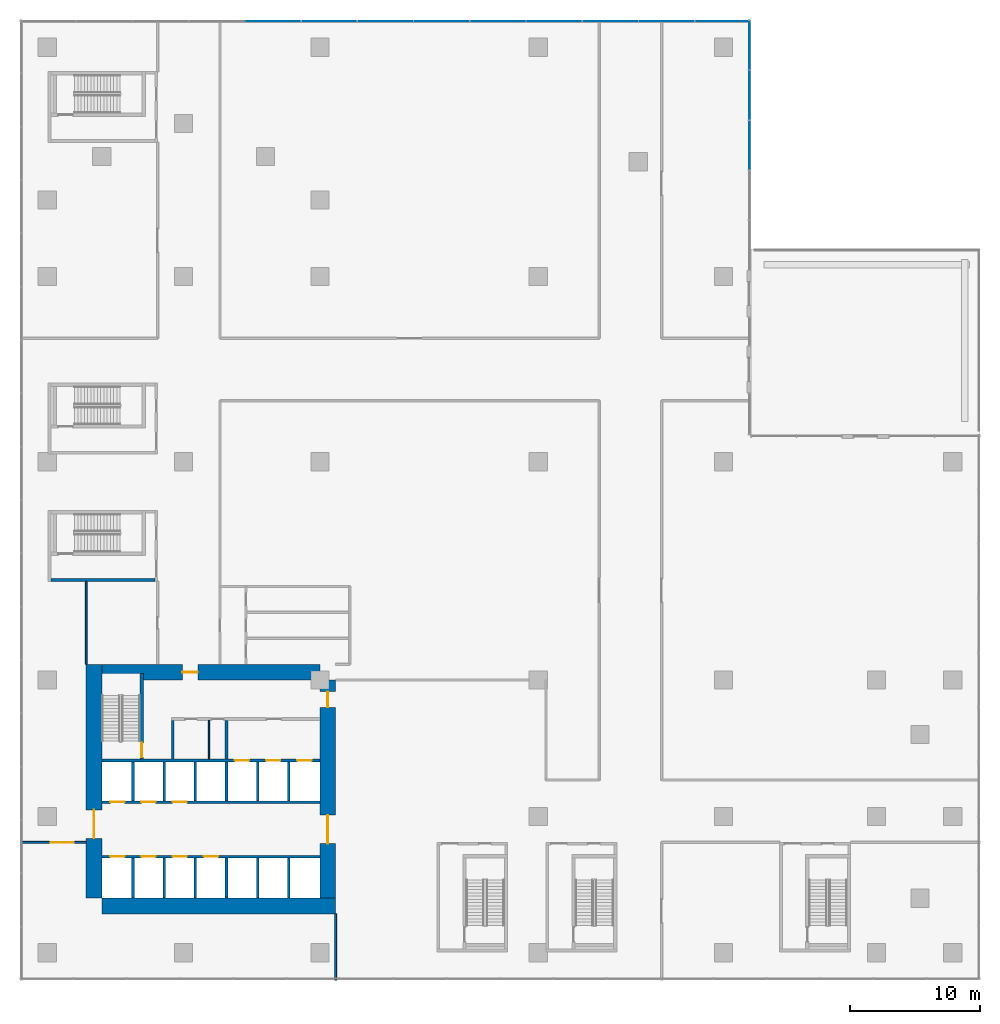
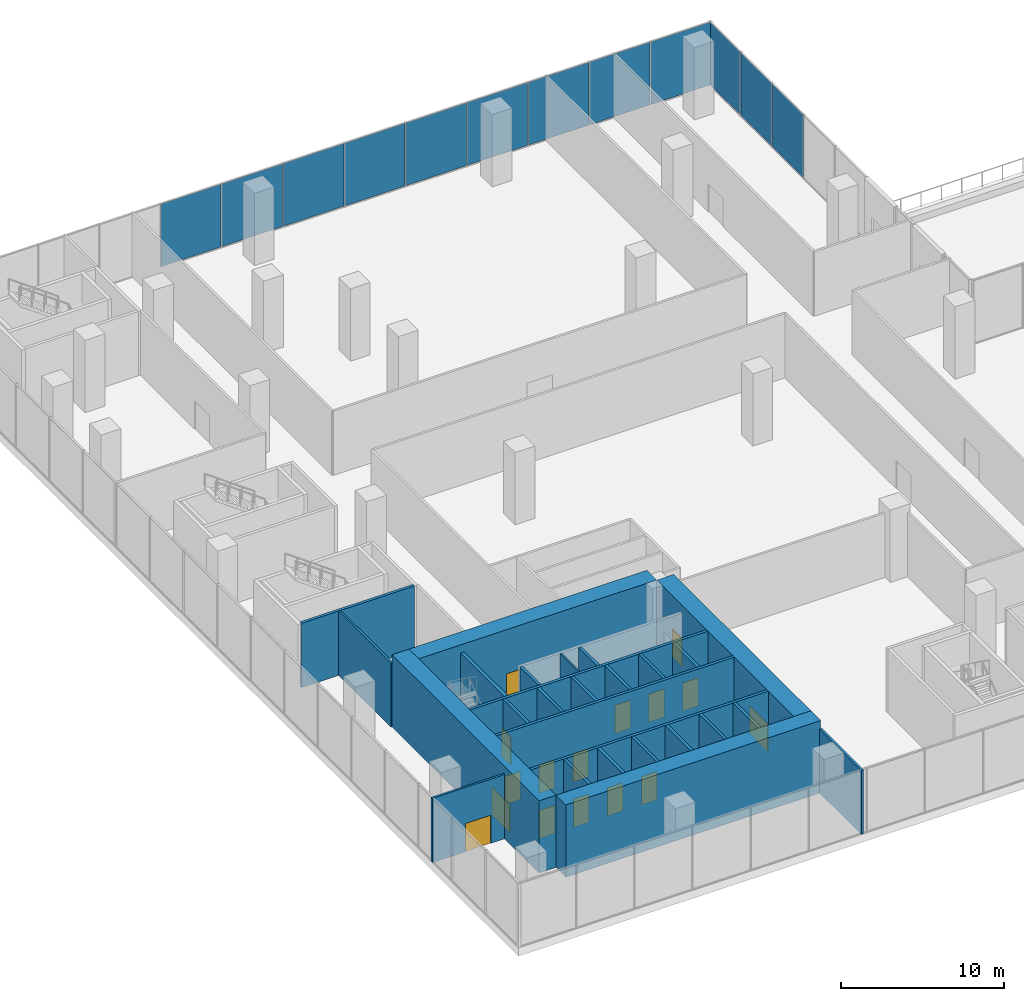
# One storey, part 13 of 23: 27 walls, 16 doors, 12 plates, 16 openings, 2 elements without a shape of their own.
"""IFC4 building model written with IfcOpenShell, lengths in metres."""

from ifc_helpers import new_model, si_unit, direction, frame, frame_2d, origin, origin_2d, place, context, subcontext, project, spatial, rectangle, extrude, source, transform, mapped, material, layer, layer_set, type_object, element, fill, aggregate, save


model = new_model("IFC4")

# Units and contexts
model_context = context("Model", 3, precision=1e-05, world=origin(), true_north=direction((0.0, 1.0)))
body_context = subcontext(model_context, "Body", "Model", "MODEL_VIEW")
ifc_project = project(units=[si_unit("LENGTHUNIT", "METRE"), si_unit("AREAUNIT", "SQUARE_METRE"), si_unit("VOLUMEUNIT", "CUBIC_METRE"), si_unit("PLANEANGLEUNIT", "RADIAN"), si_unit("MASSUNIT", "GRAM", prefix="KILO")], contexts=[model_context])

# Site, building, storey
site_placement = place(None, origin())
site = spatial("IfcSite", under=ifc_project, at=site_placement, CompositionType="ELEMENT")
building_placement = place(site_placement, origin())
building = spatial("IfcBuilding", under=site, at=building_placement, Name="Aurelian Terraces", CompositionType="ELEMENT")
storey_placement = place(building_placement, frame((0.0, 0.0, 23.7)))
storey = spatial("IfcBuildingStorey", under=building, at=storey_placement, Name="L04", CompositionType="ELEMENT", Elevation=23.7)

# Curtain wall, plates
ifc_material_1 = material(Name="Anodised aluminium and clear glazing", Category="aluminium")
ifc_layer_1 = layer(ifc_material_1, 0.2)
ifc_layer_set_1 = layer_set([ifc_layer_1], Name="Winter garden glazing curtain wall")
curtain_wall_type = type_object("IfcCurtainWallType", Name="Winter garden glazing curtain wall", PredefinedType="NOTDEFINED", material=ifc_layer_set_1)
curtain_wall_1_placement = place(storey_placement, origin())
curtain_wall_1 = element("IfcCurtainWall", 1, at=curtain_wall_1_placement, inside=storey, type_object=curtain_wall_type, Name="Winter garden glazing L04 F05.1", PredefinedType="NOTDEFINED")
ifc_material_2 = material(Name="Clear glazing", Category="glass")
ifc_layer_2 = layer(ifc_material_2, 0.028)
ifc_layer_set_2 = layer_set([ifc_layer_2], Name="Winter garden glazing glazing panel")
plate_type = type_object("IfcPlateType", Name="Winter garden glazing glazing panel", PredefinedType="CURTAIN_PANEL", material=ifc_layer_set_2)
shared_shape_1 = source(origin(), body_context, "Body", "SweptSolid", [
    extrude(rectangle(XDim=4.2692, YDim=0.028, at=origin_2d()), origin(), (0.0, 0.0, 1.0), 4.68),
])
plate_1_placement = place(storey_placement, frame((47.6862, 71.72, 0.06), z_axis=(0.0, 0.0, 1.0), x_axis=(-1.0, 0.0, 0.0)))
plate_1 = element("IfcPlate", 2, at=plate_1_placement, type_object=plate_type, Name="CW6 panel 2.1", PredefinedType="CURTAIN_PANEL", context=body_context, shape_type="MappedRepresentation", body=[
    mapped(shared_shape_1, transform((0.0, 0.0, 0.0), scale=1.0)),
])
plate_2_placement = place(storey_placement, frame((43.3569, 71.72, 0.06), z_axis=(0.0, 0.0, 1.0), x_axis=(-1.0, 0.0, 0.0)))
plate_2 = element("IfcPlate", 3, at=plate_2_placement, type_object=plate_type, Name="CW6 panel 3.1", PredefinedType="CURTAIN_PANEL", context=body_context, shape_type="MappedRepresentation", body=[
    mapped(shared_shape_1, transform((0.0, 0.0, 0.0), scale=1.0)),
])
plate_3_placement = place(storey_placement, frame((39.0277, 71.72, 0.06), z_axis=(0.0, 0.0, 1.0), x_axis=(-1.0, 0.0, 0.0)))
plate_3 = element("IfcPlate", 4, at=plate_3_placement, type_object=plate_type, Name="CW6 panel 4.1", PredefinedType="CURTAIN_PANEL", context=body_context, shape_type="MappedRepresentation", body=[
    mapped(shared_shape_1, transform((0.0, 0.0, 0.0), scale=1.0)),
])
plate_4_placement = place(storey_placement, frame((34.6985, 71.72, 0.06), z_axis=(0.0, 0.0, 1.0), x_axis=(-1.0, 0.0, 0.0)))
plate_4 = element("IfcPlate", 5, at=plate_4_placement, type_object=plate_type, Name="CW6 panel 5.1", PredefinedType="CURTAIN_PANEL", context=body_context, shape_type="MappedRepresentation", body=[
    mapped(shared_shape_1, transform((0.0, 0.0, 0.0), scale=1.0)),
])
plate_5_placement = place(storey_placement, frame((30.3692, 71.72, 0.06), z_axis=(0.0, 0.0, 1.0), x_axis=(-1.0, 0.0, 0.0)))
plate_5 = element("IfcPlate", 6, at=plate_5_placement, type_object=plate_type, Name="CW6 panel 6.1", PredefinedType="CURTAIN_PANEL", context=body_context, shape_type="MappedRepresentation", body=[
    mapped(shared_shape_1, transform((0.0, 0.0, 0.0), scale=1.0)),
])
plate_6_placement = place(storey_placement, frame((26.04, 71.72, 0.06), z_axis=(0.0, 0.0, 1.0), x_axis=(-1.0, 0.0, 0.0)))
plate_6 = element("IfcPlate", 7, at=plate_6_placement, type_object=plate_type, Name="CW6 panel 7.1", PredefinedType="CURTAIN_PANEL", context=body_context, shape_type="MappedRepresentation", body=[
    mapped(shared_shape_1, transform((0.0, 0.0, 0.0), scale=1.0)),
])
plate_7_placement = place(storey_placement, frame((21.7108, 71.72, 0.06), z_axis=(0.0, 0.0, 1.0), x_axis=(-1.0, 0.0, 0.0)))
plate_7 = element("IfcPlate", 8, at=plate_7_placement, type_object=plate_type, Name="CW6 panel 8.1", PredefinedType="CURTAIN_PANEL", context=body_context, shape_type="MappedRepresentation", body=[
    mapped(shared_shape_1, transform((0.0, 0.0, 0.0), scale=1.0)),
])
plate_8_placement = place(storey_placement, frame((17.3815, 71.72, 0.06), z_axis=(0.0, 0.0, 1.0), x_axis=(-1.0, 0.0, 0.0)))
plate_8 = element("IfcPlate", 9, at=plate_8_placement, type_object=plate_type, Name="CW6 panel 9.1", PredefinedType="CURTAIN_PANEL", context=body_context, shape_type="MappedRepresentation", body=[
    mapped(shared_shape_1, transform((0.0, 0.0, 0.0), scale=1.0)),
])
shared_shape_2 = source(origin(), body_context, "Body", "SweptSolid", [
    extrude(rectangle(XDim=4.2392, YDim=0.028, at=origin_2d()), origin(), (0.0, 0.0, 1.0), 4.68),
])
plate_9_placement = place(storey_placement, frame((52.0004, 71.72, 0.06), z_axis=(0.0, 0.0, 1.0), x_axis=(-1.0, 0.0, 0.0)))
plate_9 = element("IfcPlate", 10, at=plate_9_placement, type_object=plate_type, Name="CW6 panel 1.1", PredefinedType="CURTAIN_PANEL", context=body_context, shape_type="MappedRepresentation", body=[
    mapped(shared_shape_2, transform((0.0, 0.0, 0.0), scale=1.0)),
])
aggregate(curtain_wall_1, [plate_9, plate_1, plate_2, plate_3, plate_4, plate_5, plate_6, plate_7, plate_8])

curtain_wall_2_placement = place(storey_placement, origin())
curtain_wall_2 = element("IfcCurtainWall", 11, at=curtain_wall_2_placement, inside=storey, type_object=curtain_wall_type, Name="Winter garden glazing L04 F04.5", PredefinedType="NOTDEFINED")
shared_shape_3 = source(origin(), body_context, "Body", "SweptSolid", [
    extrude(rectangle(XDim=3.796, YDim=0.028, at=origin_2d()), origin(), (0.0, 0.0, 1.0), 4.68),
])
plate_10_placement = place(storey_placement, frame((54.08, 62.18, 0.06), z_axis=(0.0, 0.0, 1.0), x_axis=(0.0, 1.0, 0.0)))
plate_10 = element("IfcPlate", 12, at=plate_10_placement, type_object=plate_type, Name="CW6 panel 3.1", PredefinedType="CURTAIN_PANEL", context=body_context, shape_type="MappedRepresentation", body=[
    mapped(shared_shape_3, transform((0.0, 0.0, 0.0), scale=1.0)),
])
plate_11_placement = place(storey_placement, frame((54.08, 66.036, 0.06), z_axis=(0.0, 0.0, 1.0), x_axis=(0.0, 1.0, 0.0)))
plate_11 = element("IfcPlate", 13, at=plate_11_placement, type_object=plate_type, Name="CW6 panel 4.1", PredefinedType="CURTAIN_PANEL", context=body_context, shape_type="MappedRepresentation", body=[
    mapped(shared_shape_3, transform((0.0, 0.0, 0.0), scale=1.0)),
])
shared_shape_4 = source(origin(), body_context, "Body", "SweptSolid", [
    extrude(rectangle(XDim=3.766, YDim=0.028, at=origin_2d()), origin(), (0.0, 0.0, 1.0), 4.68),
])
plate_12_placement = place(storey_placement, frame((54.08, 69.877, 0.06), z_axis=(0.0, 0.0, 1.0), x_axis=(0.0, 1.0, 0.0)))
plate_12 = element("IfcPlate", 14, at=plate_12_placement, type_object=plate_type, Name="CW6 panel 5.1", PredefinedType="CURTAIN_PANEL", context=body_context, shape_type="MappedRepresentation", body=[
    mapped(shared_shape_4, transform((0.0, 0.0, 0.0), scale=1.0)),
])
aggregate(curtain_wall_2, [plate_10, plate_11, plate_12])

# Wall, opening, door
ifc_material_3 = material(Name="Concrete fc' 83 MPa", Category="concrete")
ifc_layer_3 = layer(ifc_material_3, 1.2)
ifc_layer_set_3 = layer_set([ifc_layer_3], Name="CORE WALL 1200 FC83")
wall_type_1 = type_object("IfcWallType", Name="CORE WALL 1200 FC83", PredefinedType="SHEAR", material=ifc_layer_set_3)
shared_shape_5 = source(origin(), body_context, "Body", "SweptSolid", [
    extrude(rectangle(XDim=18.0, YDim=1.2, at=frame_2d((9.0, 0.0))), origin(), (0.0, 0.0, 1.0), 5.4),
])
wall_1_placement = place(storey_placement, frame((3.6, 4.2, 0.0), z_axis=(0.0, 0.0, 1.0), x_axis=(0.0, 1.0, 0.0)))
wall_1 = element("IfcWall", 15, at=wall_1_placement, inside=storey, type_object=wall_type_1, Name="Core wall W L04", PredefinedType="SHEAR", context=body_context, shape_type="MappedRepresentation", body=[
    mapped(shared_shape_5, transform((0.0, 0.0, 0.0), scale=1.0)),
])
shared_shape_6 = source(origin(), body_context, "Body", "SweptSolid", [
    extrude(rectangle(XDim=2.2, YDim=2.1, at=frame_2d((1.1, 1.05))), frame((0.0, 0.61, 0.0), z_axis=(0.0, -1.0, 0.0), x_axis=(1.0, 0.0, 0.0)), (0.0, 0.0, 1.0), 1.22),
])
opening_1_placement = place(wall_1_placement, frame((4.6, 0.0, 0.0)))
opening_1 = element("IfcOpeningElement", 16, at=opening_1_placement, cuts=wall_1, Name="Opening 60733", PredefinedType="OPENING", context=body_context, shape_type="MappedRepresentation", body=[
    mapped(shared_shape_6, transform((0.0, 0.0, 0.0), scale=1.0)),
])
ifc_material_4 = material(Name="Steel door leaf", Category="steel")
door_type_1 = type_object("IfcDoorType", Name="Core double door 2200x2100", OperationType="DOUBLE_DOOR_SINGLE_SWING", PredefinedType="DOOR", material=ifc_material_4)
shared_shape_7 = source(origin(), body_context, "Body", "SweptSolid", [
    extrude(rectangle(XDim=2.2, YDim=2.1, at=frame_2d((1.1, 1.05))), frame((0.0, 0.025, 0.0), z_axis=(0.0, -1.0, 0.0), x_axis=(1.0, 0.0, 0.0)), (0.0, 0.0, 1.0), 0.05),
])
door_1_placement = place(opening_1_placement, origin())
door_1 = element("IfcDoor", 17, at=door_1_placement, inside=storey, type_object=door_type_1, Name="Core door 60733", OperationType="DOUBLE_DOOR_SINGLE_SWING", OverallHeight=2.1, OverallWidth=2.2, PredefinedType="DOOR", context=body_context, shape_type="MappedRepresentation", body=[
    mapped(shared_shape_7, transform((0.0, 0.0, 0.0), scale=1.0)),
])
fill(opening_1, door_1)

# Wall
wall_2_placement = place(storey_placement, frame((4.2, 3.6, 0.0), z_axis=(0.0, 0.0, 1.0), x_axis=(1.0, 0.0, 0.0)))
element("IfcWall", 18, at=wall_2_placement, inside=storey, type_object=wall_type_1, Name="Core wall S L04", PredefinedType="SHEAR", context=body_context, shape_type="MappedRepresentation", body=[
    mapped(shared_shape_5, transform((0.0, 0.0, 0.0), scale=1.0)),
])

# Wall, openings, doors
shared_shape_8 = source(origin(), body_context, "Body", "SweptSolid", [
    extrude(rectangle(XDim=16.8, YDim=1.2, at=frame_2d((8.4, 0.0))), origin(), (0.0, 0.0, 1.0), 5.4),
])
wall_3_placement = place(storey_placement, frame((21.6, 4.2, 0.0), z_axis=(0.0, 0.0, 1.0), x_axis=(0.0, 1.0, 0.0)))
wall_3 = element("IfcWall", 19, at=wall_3_placement, inside=storey, type_object=wall_type_1, Name="Core wall E L04", PredefinedType="SHEAR", context=body_context, shape_type="MappedRepresentation", body=[
    mapped(shared_shape_8, transform((0.0, 0.0, 0.0), scale=1.0)),
])
opening_2_placement = place(wall_3_placement, frame((4.2, 0.0, 0.0)))
opening_2 = element("IfcOpeningElement", 20, at=opening_2_placement, cuts=wall_3, Name="Opening 60732", PredefinedType="OPENING", context=body_context, shape_type="MappedRepresentation", body=[
    mapped(shared_shape_6, transform((0.0, 0.0, 0.0), scale=1.0)),
])
shared_shape_9 = source(origin(), body_context, "Body", "SweptSolid", [
    extrude(rectangle(XDim=1.2, YDim=2.1, at=frame_2d((0.6, 1.05))), frame((0.0, 0.61, 0.0), z_axis=(0.0, -1.0, 0.0), x_axis=(1.0, 0.0, 0.0)), (0.0, 0.0, 1.0), 1.22),
])
opening_3_placement = place(wall_3_placement, frame((14.7, 0.0, 0.0)))
opening_3 = element("IfcOpeningElement", 21, at=opening_3_placement, cuts=wall_3, Name="Opening 60735", PredefinedType="OPENING", context=body_context, shape_type="MappedRepresentation", body=[
    mapped(shared_shape_9, transform((0.0, 0.0, 0.0), scale=1.0)),
])
door_type_2 = type_object("IfcDoorType", Name="Core fire door 1200x2100", OperationType="SINGLE_SWING_LEFT", PredefinedType="DOOR", material=ifc_material_4)
shared_shape_10 = source(origin(), body_context, "Body", "SweptSolid", [
    extrude(rectangle(XDim=1.2, YDim=2.1, at=frame_2d((0.6, 1.05))), frame((0.0, 0.025, 0.0), z_axis=(0.0, -1.0, 0.0), x_axis=(1.0, 0.0, 0.0)), (0.0, 0.0, 1.0), 0.05),
])
door_2_placement = place(opening_3_placement, origin())
door_2 = element("IfcDoor", 22, at=door_2_placement, inside=storey, type_object=door_type_2, Name="Core door 60735", OperationType="SINGLE_SWING_LEFT", OverallHeight=2.1, OverallWidth=1.2, PredefinedType="DOOR", context=body_context, shape_type="MappedRepresentation", body=[
    mapped(shared_shape_10, transform((0.0, 0.0, 0.0), scale=1.0)),
])
fill(opening_3, door_2)
door_3_placement = place(opening_2_placement, origin())
door_3 = element("IfcDoor", 23, at=door_3_placement, inside=storey, type_object=door_type_1, Name="Core door 60732", OperationType="DOUBLE_DOOR_SINGLE_SWING", OverallHeight=2.1, OverallWidth=2.2, PredefinedType="DOOR", context=body_context, shape_type="MappedRepresentation", body=[
    mapped(shared_shape_7, transform((0.0, 0.0, 0.0), scale=1.0)),
])
fill(opening_2, door_3)

# Wall, opening, door
wall_4_placement = place(storey_placement, frame((4.2, 21.6, 0.0), z_axis=(0.0, 0.0, 1.0), x_axis=(1.0, 0.0, 0.0)))
wall_4 = element("IfcWall", 24, at=wall_4_placement, inside=storey, type_object=wall_type_1, Name="Core wall N L04", PredefinedType="SHEAR", context=body_context, shape_type="MappedRepresentation", body=[
    mapped(shared_shape_8, transform((0.0, 0.0, 0.0), scale=1.0)),
])
opening_4_placement = place(wall_4_placement, frame((6.2, 0.0, 0.0)))
opening_4 = element("IfcOpeningElement", 25, at=opening_4_placement, cuts=wall_4, Name="Opening 60734", PredefinedType="OPENING", context=body_context, shape_type="MappedRepresentation", body=[
    mapped(shared_shape_9, transform((0.0, 0.0, 0.0), scale=1.0)),
])
door_type_3 = type_object("IfcDoorType", Name="Core fire door 1200x2100 right", OperationType="SINGLE_SWING_RIGHT", PredefinedType="DOOR", material=ifc_material_4)
door_4_placement = place(opening_4_placement, origin())
door_4 = element("IfcDoor", 26, at=door_4_placement, inside=storey, type_object=door_type_3, Name="Core door 60734", OperationType="SINGLE_SWING_RIGHT", OverallHeight=2.1, OverallWidth=1.2, PredefinedType="DOOR", context=body_context, shape_type="MappedRepresentation", body=[
    mapped(shared_shape_10, transform((0.0, 0.0, 0.0), scale=1.0)),
])
fill(opening_4, door_4)

# Walls
ifc_material_5 = material(Name="Concrete fc' 40 MPa", Category="concrete")
ifc_layer_4 = layer(ifc_material_5, 0.2)
ifc_layer_set_4 = layer_set([ifc_layer_4], Name="Lift shaft wall 200")
wall_type_2 = type_object("IfcWallType", Name="Lift shaft wall 200", PredefinedType="SOLIDWALL", material=ifc_layer_set_4)
shared_shape_11 = source(origin(), body_context, "Body", "SweptSolid", [
    extrude(rectangle(XDim=3.1, YDim=0.2, at=frame_2d((1.55, 0.0))), origin(), (0.0, 0.0, 1.0), 5.4),
])
for number, where, z_axis, x_axis, name in (
    (27, (6.6, 4.2, 0.0), (0.0, 0.0, 1.0), (0.0, 1.0, 0.0), "L04 core wall CD-A1"),
    (28, (9.0, 4.2, 0.0), (0.0, 0.0, 1.0), (0.0, 1.0, 0.0), "L04 core wall CD-A2"),
    (29, (11.4, 4.2, 0.0), (0.0, 0.0, 1.0), (0.0, 1.0, 0.0), "L04 core wall CD-A3"),
    (30, (13.8, 4.2, 0.0), (0.0, 0.0, 1.0), (0.0, 1.0, 0.0), "L04 core wall CD-A4"),
    (31, (16.2, 4.2, 0.0), (0.0, 0.0, 1.0), (0.0, 1.0, 0.0), "L04 core wall CD-A5"),
    (32, (18.6, 4.2, 0.0), (0.0, 0.0, 1.0), (0.0, 1.0, 0.0), "L04 core wall CD-A6"),
):
    element("IfcWall", number, at=place(storey_placement, frame(where, z_axis=z_axis, x_axis=x_axis)), inside=storey, type_object=wall_type_2, Name=name, PredefinedType="SOLIDWALL", context=body_context, shape_type="MappedRepresentation", body=[
        mapped(shared_shape_11, transform((0.0, 0.0, 0.0), scale=1.0)),
    ])
shared_shape_12 = source(origin(), body_context, "Body", "SweptSolid", [
    extrude(rectangle(XDim=3.0, YDim=0.2, at=frame_2d((1.5, 0.0))), origin(), (0.0, 0.0, 1.0), 5.4),
])
for number, where, z_axis, x_axis, name in (
    (33, (6.6, 11.7, 0.0), (0.0, 0.0, 1.0), (0.0, 1.0, 0.0), "L04 core wall CD-B1"),
    (34, (9.0, 11.7, 0.0), (0.0, 0.0, 1.0), (0.0, 1.0, 0.0), "L04 core wall CD-B2"),
    (35, (11.4, 11.7, 0.0), (0.0, 0.0, 1.0), (0.0, 1.0, 0.0), "L04 core wall CD-B3"),
    (36, (13.8, 11.7, 0.0), (0.0, 0.0, 1.0), (0.0, 1.0, 0.0), "L04 core wall CD-B4"),
    (37, (16.2, 11.7, 0.0), (0.0, 0.0, 1.0), (0.0, 1.0, 0.0), "L04 core wall CD-B5"),
    (38, (18.6, 11.7, 0.0), (0.0, 0.0, 1.0), (0.0, 1.0, 0.0), "L04 core wall CD-B6"),
):
    element("IfcWall", number, at=place(storey_placement, frame(where, z_axis=z_axis, x_axis=x_axis)), inside=storey, type_object=wall_type_2, Name=name, PredefinedType="SOLIDWALL", context=body_context, shape_type="MappedRepresentation", body=[
        mapped(shared_shape_12, transform((0.0, 0.0, 0.0), scale=1.0)),
    ])

# Wall, openings, doors
shared_shape_13 = source(origin(), body_context, "Body", "SweptSolid", [
    extrude(rectangle(XDim=16.8, YDim=0.2, at=frame_2d((8.4, 0.0))), origin(), (0.0, 0.0, 1.0), 5.4),
])
wall_5_placement = place(storey_placement, frame((4.2, 7.4, 0.0), z_axis=(0.0, 0.0, 1.0), x_axis=(1.0, 0.0, 0.0)))
wall_5 = element("IfcWall", 39, at=wall_5_placement, inside=storey, type_object=wall_type_2, Name="L04 core wall CF-AF1", PredefinedType="SOLIDWALL", context=body_context, shape_type="MappedRepresentation", body=[
    mapped(shared_shape_13, transform((0.0, 0.0, 0.0), scale=1.0)),
])
shared_shape_14 = source(origin(), body_context, "Body", "SweptSolid", [
    extrude(rectangle(XDim=1.1, YDim=2.1, at=frame_2d((0.55, 1.05))), frame((0.0, 0.11, 0.0), z_axis=(0.0, -1.0, 0.0), x_axis=(1.0, 0.0, 0.0)), (0.0, 0.0, 1.0), 0.22),
])
opening_5_placement = place(wall_5_placement, frame((0.65, 0.0, 0.0)))
opening_5 = element("IfcOpeningElement", 40, at=opening_5_placement, cuts=wall_5, Name="Opening 60700", PredefinedType="OPENING", context=body_context, shape_type="MappedRepresentation", body=[
    mapped(shared_shape_14, transform((0.0, 0.0, 0.0), scale=1.0)),
])
opening_6_placement = place(wall_5_placement, frame((3.05, 0.0, 0.0)))
opening_6 = element("IfcOpeningElement", 41, at=opening_6_placement, cuts=wall_5, Name="Opening 60701", PredefinedType="OPENING", context=body_context, shape_type="MappedRepresentation", body=[
    mapped(shared_shape_14, transform((0.0, 0.0, 0.0), scale=1.0)),
])
opening_7_placement = place(wall_5_placement, frame((5.45, 0.0, 0.0)))
opening_7 = element("IfcOpeningElement", 42, at=opening_7_placement, cuts=wall_5, Name="Opening 60702", PredefinedType="OPENING", context=body_context, shape_type="MappedRepresentation", body=[
    mapped(shared_shape_14, transform((0.0, 0.0, 0.0), scale=1.0)),
])
opening_8_placement = place(wall_5_placement, frame((7.85, 0.0, 0.0)))
opening_8 = element("IfcOpeningElement", 43, at=opening_8_placement, cuts=wall_5, Name="Opening 60703", PredefinedType="OPENING", context=body_context, shape_type="MappedRepresentation", body=[
    mapped(shared_shape_14, transform((0.0, 0.0, 0.0), scale=1.0)),
])
ifc_material_6 = material(Name="Stainless steel", Category="steel")
door_type_4 = type_object("IfcDoorType", Name="Lift landing door 1100x2100", OperationType="SLIDING_TO_LEFT", PredefinedType="DOOR", material=ifc_material_6)
shared_shape_15 = source(origin(), body_context, "Body", "SweptSolid", [
    extrude(rectangle(XDim=1.1, YDim=2.1, at=frame_2d((0.55, 1.05))), frame((0.0, 0.025, 0.0), z_axis=(0.0, -1.0, 0.0), x_axis=(1.0, 0.0, 0.0)), (0.0, 0.0, 1.0), 0.05),
])
door_5_placement = place(opening_5_placement, origin())
door_5 = element("IfcDoor", 44, at=door_5_placement, inside=storey, type_object=door_type_4, Name="Lift landing door LL1 L04", OperationType="SLIDING_TO_LEFT", OverallHeight=2.1, OverallWidth=1.1, PredefinedType="DOOR", context=body_context, shape_type="MappedRepresentation", body=[
    mapped(shared_shape_15, transform((0.0, 0.0, 0.0), scale=1.0)),
])
fill(opening_5, door_5)
door_6_placement = place(opening_6_placement, origin())
door_6 = element("IfcDoor", 45, at=door_6_placement, inside=storey, type_object=door_type_4, Name="Lift landing door LL2 L04", OperationType="SLIDING_TO_LEFT", OverallHeight=2.1, OverallWidth=1.1, PredefinedType="DOOR", context=body_context, shape_type="MappedRepresentation", body=[
    mapped(shared_shape_15, transform((0.0, 0.0, 0.0), scale=1.0)),
])
fill(opening_6, door_6)
door_7_placement = place(opening_7_placement, origin())
door_7 = element("IfcDoor", 46, at=door_7_placement, inside=storey, type_object=door_type_4, Name="Lift landing door LL3 L04", OperationType="SLIDING_TO_LEFT", OverallHeight=2.1, OverallWidth=1.1, PredefinedType="DOOR", context=body_context, shape_type="MappedRepresentation", body=[
    mapped(shared_shape_15, transform((0.0, 0.0, 0.0), scale=1.0)),
])
fill(opening_7, door_7)
door_8_placement = place(opening_8_placement, origin())
door_8 = element("IfcDoor", 47, at=door_8_placement, inside=storey, type_object=door_type_4, Name="Lift landing door LL4 L04", OperationType="SLIDING_TO_LEFT", OverallHeight=2.1, OverallWidth=1.1, PredefinedType="DOOR", context=body_context, shape_type="MappedRepresentation", body=[
    mapped(shared_shape_15, transform((0.0, 0.0, 0.0), scale=1.0)),
])
fill(opening_8, door_8)

wall_6_placement = place(storey_placement, frame((4.2, 11.6, 0.0), z_axis=(0.0, 0.0, 1.0), x_axis=(1.0, 0.0, 0.0)))
wall_6 = element("IfcWall", 48, at=wall_6_placement, inside=storey, type_object=wall_type_2, Name="L04 core wall CF-BF1", PredefinedType="SOLIDWALL", context=body_context, shape_type="MappedRepresentation", body=[
    mapped(shared_shape_13, transform((0.0, 0.0, 0.0), scale=1.0)),
])
opening_9_placement = place(wall_6_placement, frame((0.65, 0.0, 0.0)))
opening_9 = element("IfcOpeningElement", 49, at=opening_9_placement, cuts=wall_6, Name="Opening 60704", PredefinedType="OPENING", context=body_context, shape_type="MappedRepresentation", body=[
    mapped(shared_shape_14, transform((0.0, 0.0, 0.0), scale=1.0)),
])
opening_10_placement = place(wall_6_placement, frame((3.05, 0.0, 0.0)))
opening_10 = element("IfcOpeningElement", 50, at=opening_10_placement, cuts=wall_6, Name="Opening 60705", PredefinedType="OPENING", context=body_context, shape_type="MappedRepresentation", body=[
    mapped(shared_shape_14, transform((0.0, 0.0, 0.0), scale=1.0)),
])
opening_11_placement = place(wall_6_placement, frame((5.45, 0.0, 0.0)))
opening_11 = element("IfcOpeningElement", 51, at=opening_11_placement, cuts=wall_6, Name="Opening 60706", PredefinedType="OPENING", context=body_context, shape_type="MappedRepresentation", body=[
    mapped(shared_shape_14, transform((0.0, 0.0, 0.0), scale=1.0)),
])
door_9_placement = place(opening_9_placement, origin())
door_9 = element("IfcDoor", 52, at=door_9_placement, inside=storey, type_object=door_type_4, Name="Lift landing door LL5 L04", OperationType="SLIDING_TO_LEFT", OverallHeight=2.1, OverallWidth=1.1, PredefinedType="DOOR", context=body_context, shape_type="MappedRepresentation", body=[
    mapped(shared_shape_15, transform((0.0, 0.0, 0.0), scale=1.0)),
])
fill(opening_9, door_9)
door_10_placement = place(opening_10_placement, origin())
door_10 = element("IfcDoor", 53, at=door_10_placement, inside=storey, type_object=door_type_4, Name="Lift landing door LL6 L04", OperationType="SLIDING_TO_LEFT", OverallHeight=2.1, OverallWidth=1.1, PredefinedType="DOOR", context=body_context, shape_type="MappedRepresentation", body=[
    mapped(shared_shape_15, transform((0.0, 0.0, 0.0), scale=1.0)),
])
fill(opening_10, door_10)
door_11_placement = place(opening_11_placement, origin())
door_11 = element("IfcDoor", 54, at=door_11_placement, inside=storey, type_object=door_type_4, Name="Lift landing door LL7 L04", OperationType="SLIDING_TO_LEFT", OverallHeight=2.1, OverallWidth=1.1, PredefinedType="DOOR", context=body_context, shape_type="MappedRepresentation", body=[
    mapped(shared_shape_15, transform((0.0, 0.0, 0.0), scale=1.0)),
])
fill(opening_11, door_11)

wall_7_placement = place(storey_placement, frame((4.2, 14.8, 0.0), z_axis=(0.0, 0.0, 1.0), x_axis=(1.0, 0.0, 0.0)))
wall_7 = element("IfcWall", 55, at=wall_7_placement, inside=storey, type_object=wall_type_2, Name="L04 core wall CF-BB1", PredefinedType="SOLIDWALL", context=body_context, shape_type="MappedRepresentation", body=[
    mapped(shared_shape_13, transform((0.0, 0.0, 0.0), scale=1.0)),
])
opening_12_placement = place(wall_7_placement, frame((10.25, 0.0, 0.0)))
opening_12 = element("IfcOpeningElement", 56, at=opening_12_placement, cuts=wall_7, Name="Opening 60707", PredefinedType="OPENING", context=body_context, shape_type="MappedRepresentation", body=[
    mapped(shared_shape_14, transform((0.0, 0.0, 0.0), scale=1.0)),
])
opening_13_placement = place(wall_7_placement, frame((12.65, 0.0, 0.0)))
opening_13 = element("IfcOpeningElement", 57, at=opening_13_placement, cuts=wall_7, Name="Opening 60708", PredefinedType="OPENING", context=body_context, shape_type="MappedRepresentation", body=[
    mapped(shared_shape_14, transform((0.0, 0.0, 0.0), scale=1.0)),
])
opening_14_placement = place(wall_7_placement, frame((15.05, 0.0, 0.0)))
opening_14 = element("IfcOpeningElement", 58, at=opening_14_placement, cuts=wall_7, Name="Opening 60709", PredefinedType="OPENING", context=body_context, shape_type="MappedRepresentation", body=[
    mapped(shared_shape_14, transform((0.0, 0.0, 0.0), scale=1.0)),
])
door_12_placement = place(opening_12_placement, origin())
door_12 = element("IfcDoor", 59, at=door_12_placement, inside=storey, type_object=door_type_4, Name="Lift landing door F1 L04", OperationType="SLIDING_TO_LEFT", OverallHeight=2.1, OverallWidth=1.1, PredefinedType="DOOR", context=body_context, shape_type="MappedRepresentation", body=[
    mapped(shared_shape_15, transform((0.0, 0.0, 0.0), scale=1.0)),
])
fill(opening_12, door_12)
door_13_placement = place(opening_13_placement, origin())
door_13 = element("IfcDoor", 60, at=door_13_placement, inside=storey, type_object=door_type_4, Name="Lift landing door F2 L04", OperationType="SLIDING_TO_LEFT", OverallHeight=2.1, OverallWidth=1.1, PredefinedType="DOOR", context=body_context, shape_type="MappedRepresentation", body=[
    mapped(shared_shape_15, transform((0.0, 0.0, 0.0), scale=1.0)),
])
fill(opening_13, door_13)
door_14_placement = place(opening_14_placement, origin())
door_14 = element("IfcDoor", 61, at=door_14_placement, inside=storey, type_object=door_type_4, Name="Lift landing door F3 L04", OperationType="SLIDING_TO_LEFT", OverallHeight=2.1, OverallWidth=1.1, PredefinedType="DOOR", context=body_context, shape_type="MappedRepresentation", body=[
    mapped(shared_shape_15, transform((0.0, 0.0, 0.0), scale=1.0)),
])
fill(opening_14, door_14)

# Walls
ifc_material_7 = material(Name="Gypsum board on steel studs", Category="steel")
ifc_layer_5 = layer(ifc_material_7, 0.2)
ifc_layer_set_5 = layer_set([ifc_layer_5], Name="Core partition 200")
wall_type_3 = type_object("IfcWallType", Name="Core partition 200", PredefinedType="PARTITIONING", material=ifc_layer_set_5)
shared_shape_16 = source(origin(), body_context, "Body", "SweptSolid", [
    extrude(rectangle(XDim=3.0, YDim=0.2, at=frame_2d((1.5, 0.0))), origin(), (0.0, 0.0, 1.0), 4.8),
])
for number, where, z_axis, x_axis, name in (
    (62, (9.65, 14.9, 0.0), (0.0, 0.0, 1.0), (0.0, 1.0, 0.0), "L04 core wall CP-VEST"),
    (63, (13.8, 14.9, 0.0), (0.0, 0.0, 1.0), (0.0, 1.0, 0.0), "L04 core wall CP-FFL"),
):
    element("IfcWall", number, at=place(storey_placement, frame(where, z_axis=z_axis, x_axis=x_axis)), inside=storey, type_object=wall_type_3, Name=name, PredefinedType="PARTITIONING", context=body_context, shape_type="MappedRepresentation", body=[
        mapped(shared_shape_16, transform((0.0, 0.0, 0.0), scale=1.0)),
    ])
ifc_layer_6 = layer(ifc_material_7, 0.1)
ifc_layer_set_6 = layer_set([ifc_layer_6], Name="Core partition 100")
wall_type_4 = type_object("IfcWallType", Name="Core partition 100", PredefinedType="PARTITIONING", material=ifc_layer_set_6)
shared_shape_17 = source(origin(), body_context, "Body", "SweptSolid", [
    extrude(rectangle(XDim=3.0, YDim=0.1, at=frame_2d((1.5, 0.0))), origin(), (0.0, 0.0, 1.0), 4.8),
])
wall_8_placement = place(storey_placement, frame((12.45, 14.9, 0.0), z_axis=(0.0, 0.0, 1.0), x_axis=(0.0, 1.0, 0.0)))
element("IfcWall", 64, at=wall_8_placement, inside=storey, type_object=wall_type_4, Name="L04 core wall CP-SV1", PredefinedType="PARTITIONING", context=body_context, shape_type="MappedRepresentation", body=[
    mapped(shared_shape_17, transform((0.0, 0.0, 0.0), scale=1.0)),
])
shared_shape_18 = source(origin(), body_context, "Body", "SweptSolid", [
    extrude(rectangle(XDim=8.0, YDim=0.2, at=frame_2d((4.0, 0.0))), origin(), (0.0, 0.0, 1.0), 4.8),
])
wall_9_placement = place(storey_placement, frame((0.3, 28.7, 0.0), z_axis=(0.0, 0.0, 1.0), x_axis=(1.0, 0.0, 0.0)))
element("IfcWall", 65, at=wall_9_placement, inside=storey, type_object=wall_type_3, Name="L04 core wall ST-S4-VW", PredefinedType="PARTITIONING", context=body_context, shape_type="MappedRepresentation", body=[
    mapped(shared_shape_18, transform((0.0, 0.0, 0.0), scale=1.0)),
])

# Wall, opening, door
ifc_layer_7 = layer(ifc_material_5, 0.25)
ifc_layer_set_7 = layer_set([ifc_layer_7], Name="Stair enclosure wall 250")
wall_type_5 = type_object("IfcWallType", Name="Stair enclosure wall 250", PredefinedType="SOLIDWALL", material=ifc_layer_set_7)
shared_shape_19 = source(origin(), body_context, "Body", "SweptSolid", [
    extrude(rectangle(XDim=6.6, YDim=0.25, at=frame_2d((3.3, 0.0))), origin(), (0.0, 0.0, 1.0), 4.8),
])
wall_10_placement = place(storey_placement, frame((7.275, 14.9, 0.0), z_axis=(0.0, 0.0, 1.0), x_axis=(0.0, 1.0, 0.0)))
wall_10 = element("IfcWall", 66, at=wall_10_placement, inside=storey, type_object=wall_type_5, Name="L04 core wall ST-S1-E", PredefinedType="SOLIDWALL", context=body_context, shape_type="MappedRepresentation", body=[
    mapped(shared_shape_19, transform((0.0, 0.0, 0.0), scale=1.0)),
])
shared_shape_20 = source(origin(), body_context, "Body", "SweptSolid", [
    extrude(rectangle(XDim=1.1, YDim=2.1, at=frame_2d((0.55, 1.05))), frame((0.0, 0.135, 0.0), z_axis=(0.0, -1.0, 0.0), x_axis=(1.0, 0.0, 0.0)), (0.0, 0.0, 1.0), 0.27),
])
opening_15_placement = place(wall_10_placement, frame((0.15, 0.0, 0.0)))
opening_15 = element("IfcOpeningElement", 67, at=opening_15_placement, cuts=wall_10, Name="Opening 60710", PredefinedType="OPENING", context=body_context, shape_type="MappedRepresentation", body=[
    mapped(shared_shape_20, transform((0.0, 0.0, 0.0), scale=1.0)),
])
door_type_5 = type_object("IfcDoorType", Name="Core fire door 1100x2100 right", OperationType="SINGLE_SWING_RIGHT", PredefinedType="DOOR", material=ifc_material_4)
door_15_placement = place(opening_15_placement, origin())
door_15 = element("IfcDoor", 68, at=door_15_placement, inside=storey, type_object=door_type_5, Name="Stair door 60710", OperationType="SINGLE_SWING_RIGHT", OverallHeight=2.1, OverallWidth=1.1, PredefinedType="DOOR", context=body_context, shape_type="MappedRepresentation", body=[
    mapped(shared_shape_15, transform((0.0, 0.0, 0.0), scale=1.0)),
])
fill(opening_15, door_15)

# Wall
ifc_layer_8 = layer(ifc_material_7, 0.15)
ifc_layer_set_8 = layer_set([ifc_layer_8], Name="Special partition 150")
wall_type_6 = type_object("IfcWallType", Name="Special partition 150", PredefinedType="PARTITIONING", material=ifc_layer_set_8)
shared_shape_21 = source(origin(), body_context, "Body", "SweptSolid", [
    extrude(rectangle(XDim=6.4, YDim=0.15, at=frame_2d((3.2, 0.0))), origin(), (0.0, 0.0, 1.0), 4.8),
])
wall_11_placement = place(storey_placement, frame((3.0, 22.2, 0.0), z_axis=(0.0, 0.0, 1.0), x_axis=(0.0, 1.0, 0.0)))
element("IfcWall", 69, at=wall_11_placement, inside=storey, type_object=wall_type_6, Name="L04 partition W16", PredefinedType="PARTITIONING", context=body_context, shape_type="MappedRepresentation", body=[
    mapped(shared_shape_21, transform((0.0, 0.0, 0.0), scale=1.0)),
])

# Wall, opening, door
shared_shape_22 = source(origin(), body_context, "Body", "SweptSolid", [
    extrude(rectangle(XDim=5.1, YDim=0.15, at=frame_2d((2.55, 0.0))), origin(), (0.0, 0.0, 1.0), 4.8),
])
wall_12_placement = place(storey_placement, frame((-2.1, 8.5, 0.0), z_axis=(0.0, 0.0, 1.0), x_axis=(1.0, 0.0, 0.0)))
wall_12 = element("IfcWall", 70, at=wall_12_placement, inside=storey, type_object=wall_type_6, Name="L04 partition W01", PredefinedType="PARTITIONING", context=body_context, shape_type="MappedRepresentation", body=[
    mapped(shared_shape_22, transform((0.0, 0.0, 0.0), scale=1.0)),
])
shared_shape_23 = source(origin(), body_context, "Body", "SweptSolid", [
    extrude(rectangle(XDim=1.8, YDim=2.1, at=frame_2d((0.9, 1.05))), frame((0.0, 0.085, 0.0), z_axis=(0.0, -1.0, 0.0), x_axis=(1.0, 0.0, 0.0)), (0.0, 0.0, 1.0), 0.17),
])
opening_16_placement = place(wall_12_placement, frame((2.35, 0.0, 0.0)))
opening_16 = element("IfcOpeningElement", 71, at=opening_16_placement, cuts=wall_12, Name="Opening 70701", PredefinedType="OPENING", context=body_context, shape_type="MappedRepresentation", body=[
    mapped(shared_shape_23, transform((0.0, 0.0, 0.0), scale=1.0)),
])
ifc_material_8 = material(Name="Timber door leaf", Category="wood")
door_type_6 = type_object("IfcDoorType", Name="Special double door 1800x2100", OperationType="DOUBLE_DOOR_SINGLE_SWING", PredefinedType="DOOR", material=ifc_material_8)
shared_shape_24 = source(origin(), body_context, "Body", "SweptSolid", [
    extrude(rectangle(XDim=1.8, YDim=2.1, at=frame_2d((0.9, 1.05))), frame((0.0, 0.025, 0.0), z_axis=(0.0, -1.0, 0.0), x_axis=(1.0, 0.0, 0.0)), (0.0, 0.0, 1.0), 0.05),
])
door_16_placement = place(opening_16_placement, origin())
door_16 = element("IfcDoor", 72, at=door_16_placement, inside=storey, type_object=door_type_6, Name="Door 70701", OperationType="DOUBLE_DOOR_SINGLE_SWING", OverallHeight=2.1, OverallWidth=1.8, PredefinedType="DOOR", context=body_context, shape_type="MappedRepresentation", body=[
    mapped(shared_shape_24, transform((0.0, 0.0, 0.0), scale=1.0)),
])
fill(opening_16, door_16)

# Wall
wall_13_placement = place(storey_placement, frame((22.2, -2.1, 0.0), z_axis=(0.0, 0.0, 1.0), x_axis=(0.0, 1.0, 0.0)))
element("IfcWall", 73, at=wall_13_placement, inside=storey, type_object=wall_type_6, Name="L04 partition W23", PredefinedType="PARTITIONING", context=body_context, shape_type="MappedRepresentation", body=[
    mapped(shared_shape_22, transform((0.0, 0.0, 0.0), scale=1.0)),
])

save(model, "model.ifc")
